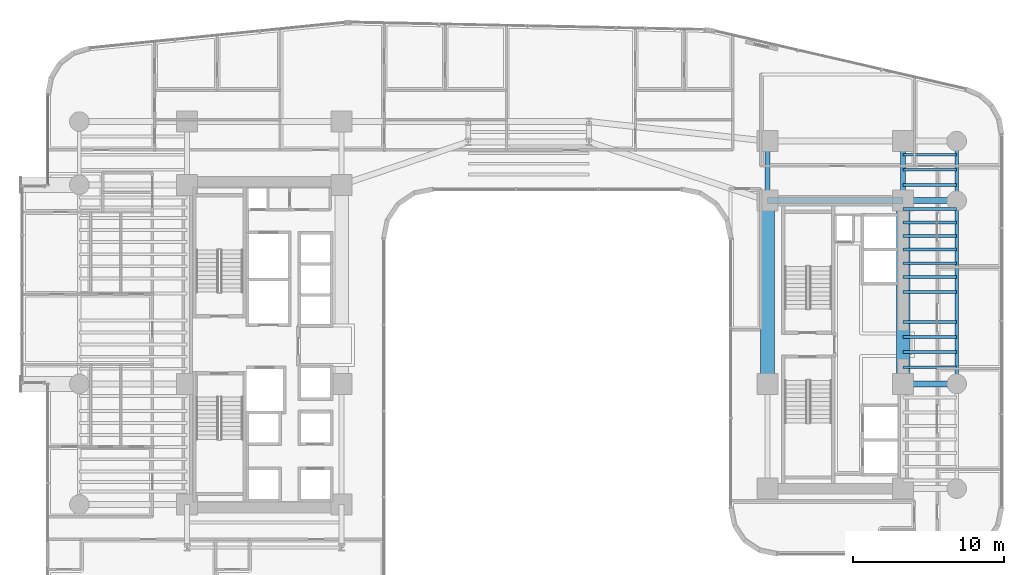
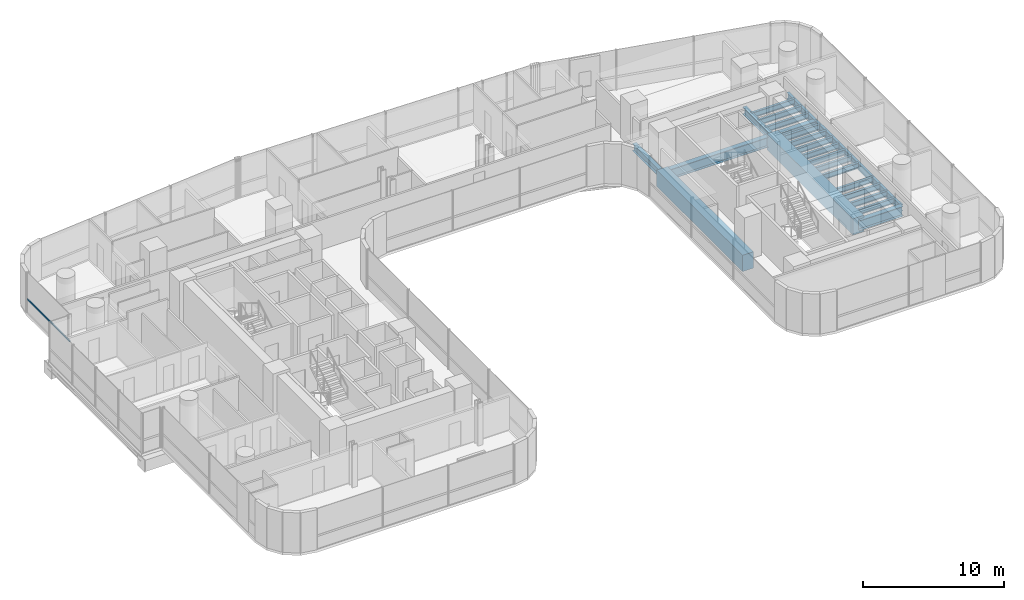
# One storey, part 16 of 40: 23 beams, 1 member, 1 element without a shape of its own.
"""IFC4 building model written with IfcOpenShell, lengths in metres."""

from ifc_helpers import new_model, si_unit, direction, frame, origin, origin_2d, place, context, subcontext, project, spatial, rectangle, hollow_rectangle, i_section, extrude, source, transform, mapped, material, material_profile, profile_set, type_object, element, aggregate, save


model = new_model("IFC4")

# Units and contexts
model_context = context("Model", 3, precision=1e-05, world=origin(), true_north=direction((0.0, 1.0)))
body_context = subcontext(model_context, "Body", "Model", "MODEL_VIEW")
ifc_project = project(units=[si_unit("LENGTHUNIT", "METRE"), si_unit("AREAUNIT", "SQUARE_METRE"), si_unit("VOLUMEUNIT", "CUBIC_METRE"), si_unit("PLANEANGLEUNIT", "RADIAN"), si_unit("MASSUNIT", "GRAM", prefix="KILO")], contexts=[model_context])

# Site, building, storey
site_placement = place(None, origin())
site = spatial("IfcSite", under=ifc_project, at=site_placement, CompositionType="ELEMENT")
building_placement = place(site_placement, origin())
building = spatial("IfcBuilding", under=site, at=building_placement, Name="Valdorenza Pilgrim Sanctuary Tower", CompositionType="ELEMENT")
storey_placement = place(building_placement, frame((0.0, 0.0, 44.5)))
storey = spatial("IfcBuildingStorey", under=building, at=storey_placement, Name="L10", CompositionType="ELEMENT", Elevation=44.5)

# Beams
ifc_material_1 = material(Name="Concrete C60/75", Category="concrete")
ifc_material_profile_1 = material_profile(ifc_material_1, rectangle(XDim=0.89990234375, YDim=1.39990234375, at=origin_2d()), Name="RC 1400x900")
ifc_profile_set_1 = profile_set([ifc_material_profile_1], Name="Concrete C60/75")
beam_type_1 = type_object("IfcBeamType", Name="STR-BM-LNT-1400", PredefinedType="LINTEL", material=ifc_profile_set_1)
shared_shape_1 = source(origin(), body_context, "Body", "SweptSolid", [
    extrude(rectangle(XDim=0.89990234375, YDim=1.39990234375, at=origin_2d()), origin(), (0.0, 0.0, 1.0), 12.150146484375),
])
for number, where, z_axis, x_axis, name in (
    (1, (15.85009765625, -2.60009765625, -0.739990234375), (0.0, 1.0, 0.0), (-1.0, 0.0, 0.0), "L10 Core B West Coupling Lintel Girder"),
    (2, (24.85009765625, -2.60009765625, -0.739990234375), (0.0, 1.0, 0.0), (-1.0, 0.0, 0.0), "L10 Core B East Coupling Lintel Girder"),
):
    element("IfcBeam", number, at=place(storey_placement, frame(where, z_axis=z_axis, x_axis=x_axis)), inside=storey, type_object=beam_type_1, Name=name, PredefinedType="LINTEL", context=body_context, shape_type="MappedRepresentation", body=[
        mapped(shared_shape_1, transform((0.0, 0.0, 0.0), x_axis=(1.0, 0.0, 0.0), y_axis=(0.0, 1.0, 0.0), z_axis=(0.0, 0.0, 1.0), scale=1.0)),
    ])
ifc_material_2 = material(Name="Steel ASTM A992 Grade 50", Category="steel")
ifc_material_profile_2 = material_profile(ifc_material_2, i_section(OverallWidth=0.214111328125, OverallDepth=0.549072265625, WebThickness=0.0146484375, FlangeThickness=0.023681640625, at=origin_2d()), Name="W21X93")
ifc_profile_set_2 = profile_set([ifc_material_profile_2], Name="Steel ASTM A992 Grade 50")
beam_type_2 = type_object("IfcBeamType", Name="STR-BM-SPN-W21A", PredefinedType="SPANDREL", material=ifc_profile_set_2)
shared_shape_2 = source(origin(), body_context, "Body", "SweptSolid", [
    extrude(i_section(OverallWidth=0.214111328125, OverallDepth=0.549072265625, WebThickness=0.0146484375, FlangeThickness=0.023681640625, at=origin_2d()), origin(), (0.0, 0.0, 1.0), 12.150146484375),
])
beam_1_placement = place(storey_placement, frame((28.39990234375, -2.60009765625, -0.514404296875), z_axis=(0.0, 1.0, 0.0), x_axis=(-1.0, 0.0, 0.0)))
element("IfcBeam", 3, at=beam_1_placement, inside=storey, type_object=beam_type_2, Name="L10 Spandrel Beam WB-E-M0N1", PredefinedType="SPANDREL", context=body_context, shape_type="MappedRepresentation", body=[
    mapped(shared_shape_2, transform((0.0, 0.0, 0.0), x_axis=(1.0, 0.0, 0.0), y_axis=(0.0, 1.0, 0.0), z_axis=(0.0, 0.0, 1.0), scale=1.0)),
])
ifc_material_profile_3 = material_profile(ifc_material_2, i_section(OverallWidth=0.323974609375, OverallDepth=0.611083984375, WebThickness=0.0126953125, FlangeThickness=0.01904296875, at=origin_2d()), Name="W24X104")
ifc_profile_set_3 = profile_set([ifc_material_profile_3], Name="Steel ASTM A992 Grade 50")
beam_type_3 = type_object("IfcBeamType", Name="STR-BM-GRD-W24B", PredefinedType="BEAM", material=ifc_profile_set_3)
shared_shape_3 = source(origin(), body_context, "Body", "SweptSolid", [
    extrude(i_section(OverallWidth=0.323974609375, OverallDepth=0.611083984375, WebThickness=0.0126953125, FlangeThickness=0.01904296875, at=origin_2d()), origin(), (0.0, 0.0, 1.0), 3.949951171875),
])
for number, where, z_axis, x_axis, name in (
    (4, (15.85009765625, 9.550048828125, -0.54541015625), (0.0, 1.0, 0.0), (-1.0, 0.0, 0.0), "L10 Core Tie Girder CB-W-N1N2"),
    (5, (24.85009765625, 9.550048828125, -0.54541015625), (0.0, 1.0, 0.0), (-1.0, 0.0, 0.0), "L10 Core Tie Girder CB-E-N1N2"),
):
    element("IfcBeam", number, at=place(storey_placement, frame(where, z_axis=z_axis, x_axis=x_axis)), inside=storey, type_object=beam_type_3, Name=name, PredefinedType="BEAM", context=body_context, shape_type="MappedRepresentation", body=[
        mapped(shared_shape_3, transform((0.0, 0.0, 0.0), x_axis=(1.0, 0.0, 0.0), y_axis=(0.0, 1.0, 0.0), z_axis=(0.0, 0.0, 1.0), scale=1.0)),
    ])
shared_shape_4 = source(origin(), body_context, "Body", "SweptSolid", [
    extrude(i_section(OverallWidth=0.214111328125, OverallDepth=0.549072265625, WebThickness=0.0146484375, FlangeThickness=0.023681640625, at=origin_2d()), origin(), (0.0, 0.0, 1.0), 3.949951171875),
])
beam_2_placement = place(storey_placement, frame((28.39990234375, 9.550048828125, -0.514404296875), z_axis=(0.0, 1.0, 0.0), x_axis=(-1.0, 0.0, 0.0)))
element("IfcBeam", 6, at=beam_2_placement, inside=storey, type_object=beam_type_2, Name="L10 Spandrel Beam WB-E-N1N2", PredefinedType="SPANDREL", context=body_context, shape_type="MappedRepresentation", body=[
    mapped(shared_shape_4, transform((0.0, 0.0, 0.0), x_axis=(1.0, 0.0, 0.0), y_axis=(0.0, 1.0, 0.0), z_axis=(0.0, 0.0, 1.0), scale=1.0)),
])
ifc_material_profile_4 = material_profile(ifc_material_2, i_section(OverallWidth=0.193115234375, OverallDepth=0.466064453125, WebThickness=0.011474609375, FlangeThickness=0.01904296875, at=origin_2d()), Name="W18X65")
ifc_profile_set_4 = profile_set([ifc_material_profile_4], Name="Steel ASTM A992 Grade 50")
beam_type_4 = type_object("IfcBeamType", Name="STR-BM-JST-W18A", PredefinedType="JOIST", material=ifc_profile_set_4)
shared_shape_5 = source(origin(), body_context, "Body", "SweptSolid", [
    extrude(i_section(OverallWidth=0.193115234375, OverallDepth=0.466064453125, WebThickness=0.011474609375, FlangeThickness=0.01904296875, at=origin_2d()), origin(), (0.0, 0.0, 1.0), 3.5498046875),
])
for number, where, z_axis, x_axis, name in (
    (7, (24.85009765625, -1.5, -0.472900390625), (1.0, 0.0, 0.0), (0.0, 1.0, 0.0), "L10 Composite Floor Joist JST-WB-8"),
    (8, (24.85009765625, -0.5, -0.472900390625), (1.0, 0.0, 0.0), (0.0, 1.0, 0.0), "L10 Composite Floor Joist JST-WB-9"),
    (9, (24.85009765625, 0.5, -0.472900390625), (1.0, 0.0, 0.0), (0.0, 1.0, 0.0), "L10 Composite Floor Joist JST-WB-10"),
    (10, (24.85009765625, 1.5, -0.472900390625), (1.0, 0.0, 0.0), (0.0, 1.0, 0.0), "L10 Composite Floor Joist JST-WB-11"),
    (11, (24.85009765625, 3.5, -0.472900390625), (1.0, 0.0, 0.0), (0.0, 1.0, 0.0), "L10 Composite Floor Joist JST-WB-12"),
    (12, (24.85009765625, 4.5, -0.472900390625), (1.0, 0.0, 0.0), (0.0, 1.0, 0.0), "L10 Composite Floor Joist JST-WB-13"),
    (13, (24.85009765625, 5.39990234375, -0.472900390625), (1.0, 0.0, 0.0), (0.0, 1.0, 0.0), "L10 Composite Floor Joist JST-WB-14"),
    (14, (24.85009765625, 6.300048828125, -0.472900390625), (1.0, 0.0, 0.0), (0.0, 1.0, 0.0), "L10 Composite Floor Joist JST-WB-15"),
    (15, (24.85009765625, 7.199951171875, -0.472900390625), (1.0, 0.0, 0.0), (0.0, 1.0, 0.0), "L10 Composite Floor Joist JST-WB-16"),
    (16, (24.85009765625, 8.10009765625, -0.472900390625), (1.0, 0.0, 0.0), (0.0, 1.0, 0.0), "L10 Composite Floor Joist JST-WB-17"),
    (17, (24.85009765625, 9.0, -0.472900390625), (1.0, 0.0, 0.0), (0.0, 1.0, 0.0), "L10 Composite Floor Joist JST-WB-18"),
    (18, (24.85009765625, 10.60009765625, -0.472900390625), (1.0, 0.0, 0.0), (0.0, 1.0, 0.0), "L10 Composite Floor Joist JST-WB-19"),
    (19, (24.85009765625, 11.60009765625, -0.472900390625), (1.0, 0.0, 0.0), (0.0, 1.0, 0.0), "L10 Composite Floor Joist JST-WB-20"),
    (20, (24.85009765625, 12.60009765625, -0.472900390625), (1.0, 0.0, 0.0), (0.0, 1.0, 0.0), "L10 Composite Floor Joist JST-WB-21"),
):
    element("IfcBeam", number, at=place(storey_placement, frame(where, z_axis=z_axis, x_axis=x_axis)), inside=storey, type_object=beam_type_4, Name=name, PredefinedType="JOIST", context=body_context, shape_type="MappedRepresentation", body=[
        mapped(shared_shape_5, transform((0.0, 0.0, 0.0), x_axis=(1.0, 0.0, 0.0), y_axis=(0.0, 1.0, 0.0), z_axis=(0.0, 0.0, 1.0), scale=1.0)),
    ])
ifc_material_profile_5 = material_profile(ifc_material_2, i_section(OverallWidth=0.39990234375, OverallDepth=0.862060546875, WebThickness=0.019775390625, FlangeThickness=0.032470703125, at=origin_2d()), Name="W33X221")
ifc_profile_set_5 = profile_set([ifc_material_profile_5], Name="Steel ASTM A992 Grade 50")
beam_type_5 = type_object("IfcBeamType", Name="STR-BM-GRD-W33", PredefinedType="BEAM", material=ifc_profile_set_5)
shared_shape_6 = source(origin(), body_context, "Body", "SweptSolid", [
    extrude(i_section(OverallWidth=0.39990234375, OverallDepth=0.862060546875, WebThickness=0.019775390625, FlangeThickness=0.032470703125, at=origin_2d()), origin(), (0.0, 0.0, 1.0), 9.0),
])
beam_3_placement = place(storey_placement, frame((15.85009765625, 9.550048828125, -0.6708984375), z_axis=(1.0, 0.0, 0.0), x_axis=(0.0, 1.0, 0.0)))
element("IfcBeam", 21, at=beam_3_placement, inside=storey, type_object=beam_type_5, Name="L10 Floor Girder CB-XC-N1", PredefinedType="BEAM", context=body_context, shape_type="MappedRepresentation", body=[
    mapped(shared_shape_6, transform((0.0, 0.0, 0.0), x_axis=(1.0, 0.0, 0.0), y_axis=(0.0, 1.0, 0.0), z_axis=(0.0, 0.0, 1.0), scale=1.0)),
])
shared_shape_7 = source(origin(), body_context, "Body", "SweptSolid", [
    extrude(i_section(OverallWidth=0.39990234375, OverallDepth=0.862060546875, WebThickness=0.019775390625, FlangeThickness=0.032470703125, at=origin_2d()), origin(), (0.0, 0.0, 1.0), 3.5498046875),
])
for number, where, z_axis, x_axis, name in (
    (22, (24.85009765625, -2.60009765625, -0.6708984375), (1.0, 0.0, 0.0), (0.0, 1.0, 0.0), "L10 Floor Girder WB-XE-M0"),
    (23, (24.85009765625, 9.550048828125, -0.6708984375), (1.0, 0.0, 0.0), (0.0, 1.0, 0.0), "L10 Floor Girder WB-XE-N1"),
):
    element("IfcBeam", number, at=place(storey_placement, frame(where, z_axis=z_axis, x_axis=x_axis)), inside=storey, type_object=beam_type_5, Name=name, PredefinedType="BEAM", context=body_context, shape_type="MappedRepresentation", body=[
        mapped(shared_shape_7, transform((0.0, 0.0, 0.0), x_axis=(1.0, 0.0, 0.0), y_axis=(0.0, 1.0, 0.0), z_axis=(0.0, 0.0, 1.0), scale=1.0)),
    ])

# Curtain wall, member
ifc_material_3 = material(Name="Curtain-wall IGU glazing", Category="glass")
curtain_wall_type = type_object("IfcCurtainWallType", Name="CW-SYS-02", PredefinedType="NOTDEFINED", material=ifc_material_3)
curtain_wall_placement = place(storey_placement, origin())
curtain_wall = element("IfcCurtainWall", 24, at=curtain_wall_placement, inside=storey, type_object=curtain_wall_type, Name="L10 Curtain Wall CW-L10-1-1S2", PredefinedType="NOTDEFINED")
ifc_material_4 = material(Name="Anodised aluminium AW-6060", Category="aluminium")
ifc_material_profile_6 = material_profile(ifc_material_4, hollow_rectangle(XDim=0.074951171875, YDim=0.14990234375, WallThickness=0.00390625, at=origin_2d()), Name="ALU-T 150x75x4")
ifc_profile_set_6 = profile_set([ifc_material_profile_6], Name="Anodised aluminium AW-6060")
member_type = type_object("IfcMemberType", Name="CW-TRN-02", PredefinedType="USERDEFINED", material=ifc_profile_set_6)
shared_shape_8 = source(origin(), body_context, "Body", "SweptSolid", [
    extrude(hollow_rectangle(XDim=0.074951171875, YDim=0.14990234375, WallThickness=0.00390625, at=origin_2d()), origin(), (0.0, 0.0, 1.0), 5.993896484375),
])
member_placement = place(storey_placement, frame((-31.889892578125, 10.60009765625, 1.1201171875), z_axis=(0.0, 1.0, 0.0), x_axis=(-1.0, 0.0, 0.0)))
member = element("IfcMember", 25, at=member_placement, type_object=member_type, Name="CW-L10-1-1S2 Transom 1", ObjectType="TRANSOM", PredefinedType="USERDEFINED", context=body_context, shape_type="MappedRepresentation", body=[
    mapped(shared_shape_8, transform((0.0, 0.0, 0.0), x_axis=(1.0, 0.0, 0.0), y_axis=(0.0, 1.0, 0.0), z_axis=(0.0, 0.0, 1.0), scale=1.0)),
])
aggregate(curtain_wall, [member])

save(model, "model.ifc")
